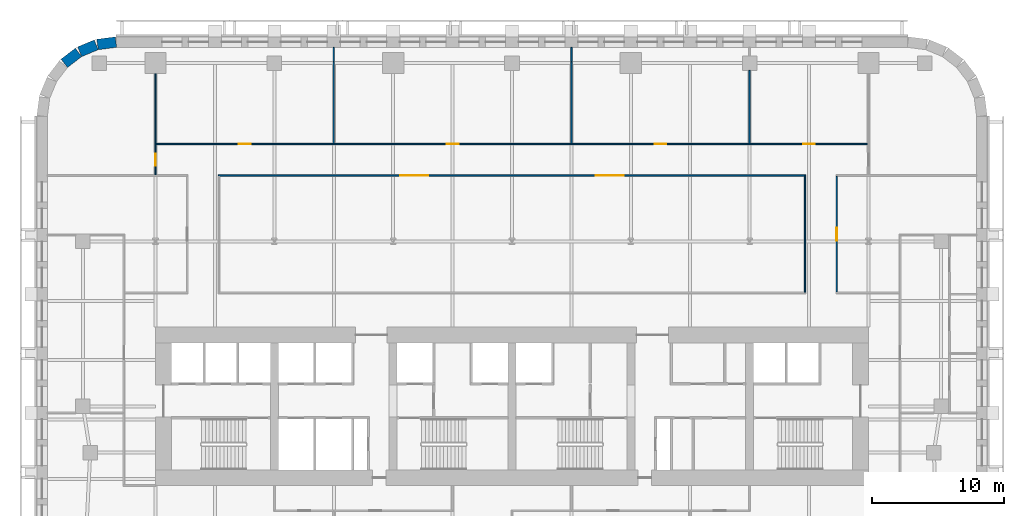
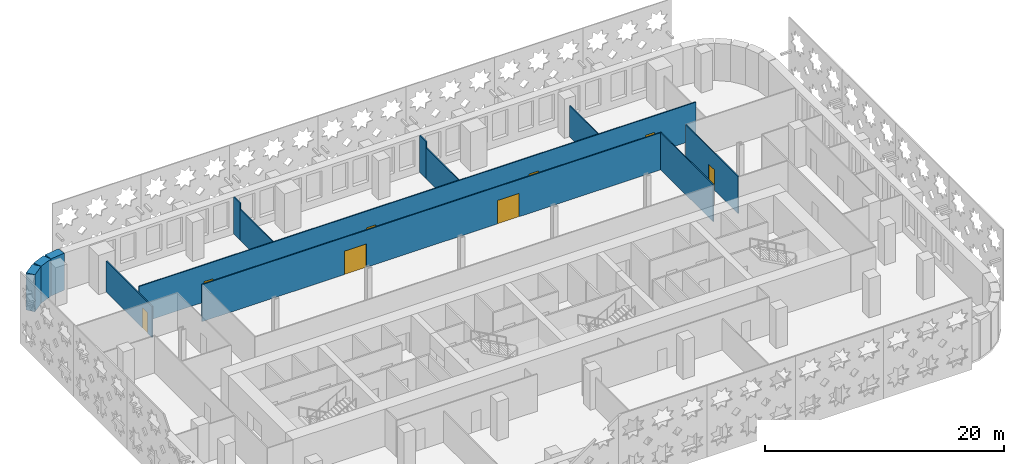
# One storey, part 7 of 15: 13 walls, 8 doors, 8 openings.
"""IFC4 building model written with IfcOpenShell, lengths in metres."""

from ifc_helpers import new_model, si_unit, direction, frame, frame_2d, origin, place, context, subcontext, project, spatial, rectangle, extrude, material, layer, layer_set, type_object, element, fill, save


model = new_model("IFC4")

# Units and contexts
model_context = context("Model", 3, precision=1e-05, world=origin(), true_north=direction((0.0, 1.0)))
body_context = subcontext(model_context, "Body", "Model", "MODEL_VIEW")
ifc_project = project(units=[si_unit("LENGTHUNIT", "METRE"), si_unit("AREAUNIT", "SQUARE_METRE"), si_unit("VOLUMEUNIT", "CUBIC_METRE"), si_unit("PLANEANGLEUNIT", "RADIAN"), si_unit("MASSUNIT", "GRAM", prefix="KILO")], contexts=[model_context])

# Site, building, storey
site_placement = place(None, origin())
site = spatial("IfcSite", under=ifc_project, at=site_placement, CompositionType="ELEMENT")
building_placement = place(site_placement, origin())
building = spatial("IfcBuilding", under=site, at=building_placement, Name="Zellij Exchange Tower", CompositionType="ELEMENT")
storey_placement = place(building_placement, frame((0.0, 0.0, 92.5)))
storey = spatial("IfcBuildingStorey", under=building, at=storey_placement, Name="L19", CompositionType="ELEMENT", Elevation=92.5)

# Walls
ifc_material_1 = material(Name="Precast concrete C40/50", Category="concrete")
ifc_layer_1 = layer(ifc_material_1, 0.800048828125)
ifc_layer_set_1 = layer_set([ifc_layer_1], Name="Precast concrete C40/50")
wall_type_1 = type_object("IfcWallType", Name="ENV-EW1 Precast stone-piered wall 800", PredefinedType="SOLIDWALL", material=ifc_layer_set_1)
wall_1_placement = place(storey_placement, frame((-29.999755859375, 19.5966796875, 0.0), z_axis=(0.0, 0.0, 1.0), x_axis=(-0.99144603414, -0.130517283865, 0.0)))
element("IfcWall", 1, at=wall_1_placement, inside=storey, type_object=wall_type_1, Name="fac.L19.15", PredefinedType="SOLIDWALL", context=body_context, shape_type="SweptSolid", body=[
    extrude(rectangle(XDim=1.408447265625, YDim=0.800048828125, at=frame_2d((0.7041015625, 0.0))), origin(), (0.0, 0.0, 1.0), 3.800048828125),
])
wall_2_placement = place(storey_placement, frame((-31.497314453125, 19.3857421875, 0.0), z_axis=(0.0, 0.0, 1.0), x_axis=(-0.923847774587, -0.38276009378, 0.0)))
element("IfcWall", 2, at=wall_2_placement, inside=storey, type_object=wall_type_1, Name="fac.L19.16", PredefinedType="SOLIDWALL", context=body_context, shape_type="SweptSolid", body=[
    extrude(rectangle(XDim=1.35546875, YDim=0.800048828125, at=frame_2d((0.677734375, 0.0))), origin(), (0.0, 0.0, 1.0), 3.800048828125),
])
wall_3_placement = place(storey_placement, frame((-32.840087890625, 18.814697265625, 0.0), z_axis=(0.0, 0.0, 1.0), x_axis=(-0.793272915452, -0.608866226366, 0.0)))
element("IfcWall", 3, at=wall_3_placement, inside=storey, type_object=wall_type_1, Name="fac.L19.17", PredefinedType="SOLIDWALL", context=body_context, shape_type="SweptSolid", body=[
    extrude(rectangle(XDim=1.355712890625, YDim=0.800048828125, at=frame_2d((0.677734375, 0.0))), origin(), (0.0, 0.0, 1.0), 3.800048828125),
])
ifc_material_2 = material(Name="Gypsum board partition on steel studs", Category="steel")
ifc_layer_2 = layer(ifc_material_2, 0.10009765625)
ifc_layer_set_2 = layer_set([ifc_layer_2], Name="Gypsum board partition on steel studs")
wall_type_2 = type_object("IfcWallType", Name="FIT-PARTITION-100", PredefinedType="PARTITIONING", material=ifc_layer_set_2)
wall_4_placement = place(storey_placement, frame((22.199951171875, 0.64990234375, 0.0), z_axis=(0.0, 0.0, 1.0), x_axis=(0.0, 1.0, 0.0)))
element("IfcWall", 4, at=wall_4_placement, inside=storey, type_object=wall_type_2, Name="FIT-PARTITION-100 028", PredefinedType="PARTITIONING", context=body_context, shape_type="SweptSolid", body=[
    extrude(rectangle(XDim=8.780029296875, YDim=0.10009765625, at=frame_2d((4.39013671875, 0.0))), origin(), (0.0, 0.0, 1.0), 3.800048828125),
])

# Wall, opening, door
wall_5_placement = place(storey_placement, frame((24.60009765625, 0.64990234375, 0.0), z_axis=(0.0, 0.0, 1.0), x_axis=(0.0, 1.0, 0.0)))
wall_5 = element("IfcWall", 5, at=wall_5_placement, inside=storey, type_object=wall_type_2, Name="FIT-PARTITION-100 030", PredefinedType="PARTITIONING", context=body_context, shape_type="SweptSolid", body=[
    extrude(rectangle(XDim=8.780029296875, YDim=0.10009765625, at=frame_2d((4.39013671875, 0.0))), origin(), (0.0, 0.0, 1.0), 3.800048828125),
])
opening_1_placement = place(wall_5_placement, frame((3.89990234375, 0.0, 0.0)))
opening_1 = element("IfcOpeningElement", 6, at=opening_1_placement, cuts=wall_5, Name="Opening TD.11", PredefinedType="OPENING", context=body_context, shape_type="SweptSolid", body=[
    extrude(rectangle(XDim=1.0, YDim=2.10009765625, at=frame_2d((0.5, 1.050048828125))), frame((0.0, 0.06201171875, 0.0), z_axis=(0.0, -1.0, 0.0), x_axis=(1.0, 0.0, 0.0)), (0.0, 0.0, 1.0), 0.1240234375),
])
ifc_material_3 = material(Name="Timber door set", Category="wood")
door_type_1 = type_object("IfcDoorType", Name="FIT-D2-WIDE-1000X2100", OperationType="SINGLE_SWING_LEFT", PredefinedType="DOOR", material=ifc_material_3)
door_1_placement = place(opening_1_placement, origin())
door_1 = element("IfcDoor", 7, at=door_1_placement, inside=storey, type_object=door_type_1, Name="Door TD.11", OperationType="SINGLE_SWING_RIGHT", OverallHeight=2.10009765625, OverallWidth=1.0, PredefinedType="DOOR", context=body_context, shape_type="SweptSolid", body=[
    extrude(rectangle(XDim=1.0, YDim=2.10009765625, at=frame_2d((0.5, 1.050048828125))), frame((0.0, 0.02490234375, 0.0), z_axis=(0.0, -1.0, 0.0), x_axis=(1.0, 0.0, 0.0)), (0.0, 0.0, 1.0), 0.050048828125),
])
fill(opening_1, door_1)

wall_6_placement = place(storey_placement, frame((-27.0, 9.530029296875, 0.0), z_axis=(0.0, 0.0, 1.0), x_axis=(0.0, 1.0, 0.0)))
wall_6 = element("IfcWall", 8, at=wall_6_placement, inside=storey, type_object=wall_type_2, Name="FIT-PARTITION-100 036", PredefinedType="PARTITIONING", context=body_context, shape_type="SweptSolid", body=[
    extrude(rectangle(XDim=7.669921875, YDim=0.10009765625, at=frame_2d((3.8349609375, 0.0))), origin(), (0.0, 0.0, 1.0), 3.18798828125),
])
opening_2_placement = place(wall_6_placement, frame((0.699951171875, 0.0, 0.0)))
opening_2 = element("IfcOpeningElement", 9, at=opening_2_placement, cuts=wall_6, Name="Opening TD.14", PredefinedType="OPENING", context=body_context, shape_type="SweptSolid", body=[
    extrude(rectangle(XDim=0.89990234375, YDim=2.10009765625, at=frame_2d((0.449951171875, 1.050048828125))), frame((0.0, 0.06201171875, 0.0), z_axis=(0.0, -1.0, 0.0), x_axis=(1.0, 0.0, 0.0)), (0.0, 0.0, 1.0), 0.1240234375),
])
door_type_2 = type_object("IfcDoorType", Name="FIT-D1-ROOM-900X2100", OperationType="SINGLE_SWING_LEFT", PredefinedType="DOOR", material=ifc_material_3)
door_2_placement = place(opening_2_placement, origin())
door_2 = element("IfcDoor", 10, at=door_2_placement, inside=storey, type_object=door_type_2, Name="Door TD.14", OperationType="SINGLE_SWING_RIGHT", OverallHeight=2.10009765625, OverallWidth=0.89990234375, PredefinedType="DOOR", context=body_context, shape_type="SweptSolid", body=[
    extrude(rectangle(XDim=0.89990234375, YDim=2.10009765625, at=frame_2d((0.449951171875, 1.050048828125))), frame((0.0, 0.02490234375, 0.0), z_axis=(0.0, -1.0, 0.0), x_axis=(1.0, 0.0, 0.0)), (0.0, 0.0, 1.0), 0.050048828125),
])
fill(opening_2, door_2)

# Wall, openings, doors
wall_7_placement = place(storey_placement, frame((-22.25, 9.47998046875, 0.0), z_axis=(0.0, 0.0, 1.0), x_axis=(1.0, 0.0, 0.0)))
wall_7 = element("IfcWall", 11, at=wall_7_placement, inside=storey, type_object=wall_type_2, Name="FIT-PARTITION-100 037", PredefinedType="PARTITIONING", context=body_context, shape_type="SweptSolid", body=[
    extrude(rectangle(XDim=44.5, YDim=0.10009765625, at=frame_2d((22.25, 0.0))), origin(), (0.0, 0.0, 1.0), 3.800048828125),
])
opening_3_placement = place(wall_7_placement, frame((13.800048828125, 0.0, 0.0)))
opening_3 = element("IfcOpeningElement", 12, at=opening_3_placement, cuts=wall_7, Name="Opening TD.12", PredefinedType="OPENING", context=body_context, shape_type="SweptSolid", body=[
    extrude(rectangle(XDim=2.10009765625, YDim=2.39990234375, at=frame_2d((1.050048828125, 1.199951171875))), frame((0.0, 0.06201171875, 0.0), z_axis=(0.0, -1.0, 0.0), x_axis=(1.0, 0.0, 0.0)), (0.0, 0.0, 1.0), 0.1240234375),
])
opening_4_placement = place(wall_7_placement, frame((28.60009765625, 0.0, 0.0)))
opening_4 = element("IfcOpeningElement", 13, at=opening_4_placement, cuts=wall_7, Name="Opening TD.13", PredefinedType="OPENING", context=body_context, shape_type="SweptSolid", body=[
    extrude(rectangle(XDim=2.10009765625, YDim=2.39990234375, at=frame_2d((1.050048828125, 1.199951171875))), frame((0.0, 0.06201171875, 0.0), z_axis=(0.0, -1.0, 0.0), x_axis=(1.0, 0.0, 0.0)), (0.0, 0.0, 1.0), 0.1240234375),
])
door_type_3 = type_object("IfcDoorType", Name="FIT-D7-ASSEMBLY-2100X2400", OperationType="DOUBLE_DOOR_SINGLE_SWING", PredefinedType="DOOR", material=ifc_material_3)
door_3_placement = place(opening_3_placement, origin())
door_3 = element("IfcDoor", 14, at=door_3_placement, inside=storey, type_object=door_type_3, Name="Door TD.12", OperationType="DOUBLE_DOOR_SINGLE_SWING", OverallHeight=2.39990234375, OverallWidth=2.10009765625, PredefinedType="DOOR", context=body_context, shape_type="SweptSolid", body=[
    extrude(rectangle(XDim=2.10009765625, YDim=2.39990234375, at=frame_2d((1.050048828125, 1.199951171875))), frame((0.0, 0.02490234375, 0.0), z_axis=(0.0, -1.0, 0.0), x_axis=(1.0, 0.0, 0.0)), (0.0, 0.0, 1.0), 0.050048828125),
])
fill(opening_3, door_3)
door_4_placement = place(opening_4_placement, origin())
door_4 = element("IfcDoor", 15, at=door_4_placement, inside=storey, type_object=door_type_3, Name="Door TD.13", OperationType="DOUBLE_DOOR_SINGLE_SWING", OverallHeight=2.39990234375, OverallWidth=2.10009765625, PredefinedType="DOOR", context=body_context, shape_type="SweptSolid", body=[
    extrude(rectangle(XDim=2.10009765625, YDim=2.39990234375, at=frame_2d((1.050048828125, 1.199951171875))), frame((0.0, 0.02490234375, 0.0), z_axis=(0.0, -1.0, 0.0), x_axis=(1.0, 0.0, 0.0)), (0.0, 0.0, 1.0), 0.050048828125),
])
fill(opening_4, door_4)

wall_8_placement = place(storey_placement, frame((-26.949951171875, 11.8798828125, 0.0), z_axis=(0.0, 0.0, 1.0), x_axis=(1.0, 0.0, 0.0)))
wall_8 = element("IfcWall", 16, at=wall_8_placement, inside=storey, type_object=wall_type_2, Name="FIT-PARTITION-100 040", PredefinedType="PARTITIONING", context=body_context, shape_type="SweptSolid", body=[
    extrude(rectangle(XDim=53.89990234375, YDim=0.10009765625, at=frame_2d((26.949951171875, 0.0))), origin(), (0.0, 0.0, 1.0), 3.800048828125),
])
opening_5_placement = place(wall_8_placement, frame((6.25, 0.0, 0.0)))
opening_5 = element("IfcOpeningElement", 17, at=opening_5_placement, cuts=wall_8, Name="Opening TD.16", PredefinedType="OPENING", context=body_context, shape_type="SweptSolid", body=[
    extrude(rectangle(XDim=0.89990234375, YDim=2.10009765625, at=frame_2d((0.449951171875, 1.050048828125))), frame((0.0, 0.06201171875, 0.0), z_axis=(0.0, -1.0, 0.0), x_axis=(1.0, 0.0, 0.0)), (0.0, 0.0, 1.0), 0.1240234375),
])
opening_6_placement = place(wall_8_placement, frame((22.0, 0.0, 0.0)))
opening_6 = element("IfcOpeningElement", 18, at=opening_6_placement, cuts=wall_8, Name="Opening TD.17", PredefinedType="OPENING", context=body_context, shape_type="SweptSolid", body=[
    extrude(rectangle(XDim=0.89990234375, YDim=2.10009765625, at=frame_2d((0.449951171875, 1.050048828125))), frame((0.0, 0.06201171875, 0.0), z_axis=(0.0, -1.0, 0.0), x_axis=(1.0, 0.0, 0.0)), (0.0, 0.0, 1.0), 0.1240234375),
])
opening_7_placement = place(wall_8_placement, frame((37.75, 0.0, 0.0)))
opening_7 = element("IfcOpeningElement", 19, at=opening_7_placement, cuts=wall_8, Name="Opening TD.18", PredefinedType="OPENING", context=body_context, shape_type="SweptSolid", body=[
    extrude(rectangle(XDim=0.89990234375, YDim=2.10009765625, at=frame_2d((0.449951171875, 1.050048828125))), frame((0.0, 0.06201171875, 0.0), z_axis=(0.0, -1.0, 0.0), x_axis=(1.0, 0.0, 0.0)), (0.0, 0.0, 1.0), 0.1240234375),
])
opening_8_placement = place(wall_8_placement, frame((49.0, 0.0, 0.0)))
opening_8 = element("IfcOpeningElement", 20, at=opening_8_placement, cuts=wall_8, Name="Opening TD.19", PredefinedType="OPENING", context=body_context, shape_type="SweptSolid", body=[
    extrude(rectangle(XDim=0.89990234375, YDim=2.10009765625, at=frame_2d((0.449951171875, 1.050048828125))), frame((0.0, 0.06201171875, 0.0), z_axis=(0.0, -1.0, 0.0), x_axis=(1.0, 0.0, 0.0)), (0.0, 0.0, 1.0), 0.1240234375),
])
door_5_placement = place(opening_5_placement, origin())
door_5 = element("IfcDoor", 21, at=door_5_placement, inside=storey, type_object=door_type_2, Name="Door TD.16", OperationType="SINGLE_SWING_RIGHT", OverallHeight=2.10009765625, OverallWidth=0.89990234375, PredefinedType="DOOR", context=body_context, shape_type="SweptSolid", body=[
    extrude(rectangle(XDim=0.89990234375, YDim=2.10009765625, at=frame_2d((0.449951171875, 1.050048828125))), frame((0.0, 0.02490234375, 0.0), z_axis=(0.0, -1.0, 0.0), x_axis=(1.0, 0.0, 0.0)), (0.0, 0.0, 1.0), 0.050048828125),
])
fill(opening_5, door_5)
door_6_placement = place(opening_6_placement, origin())
door_6 = element("IfcDoor", 22, at=door_6_placement, inside=storey, type_object=door_type_2, Name="Door TD.17", OperationType="SINGLE_SWING_RIGHT", OverallHeight=2.10009765625, OverallWidth=0.89990234375, PredefinedType="DOOR", context=body_context, shape_type="SweptSolid", body=[
    extrude(rectangle(XDim=0.89990234375, YDim=2.10009765625, at=frame_2d((0.449951171875, 1.050048828125))), frame((0.0, 0.02490234375, 0.0), z_axis=(0.0, -1.0, 0.0), x_axis=(1.0, 0.0, 0.0)), (0.0, 0.0, 1.0), 0.050048828125),
])
fill(opening_6, door_6)
door_7_placement = place(opening_7_placement, origin())
door_7 = element("IfcDoor", 23, at=door_7_placement, inside=storey, type_object=door_type_2, Name="Door TD.18", OperationType="SINGLE_SWING_RIGHT", OverallHeight=2.10009765625, OverallWidth=0.89990234375, PredefinedType="DOOR", context=body_context, shape_type="SweptSolid", body=[
    extrude(rectangle(XDim=0.89990234375, YDim=2.10009765625, at=frame_2d((0.449951171875, 1.050048828125))), frame((0.0, 0.02490234375, 0.0), z_axis=(0.0, -1.0, 0.0), x_axis=(1.0, 0.0, 0.0)), (0.0, 0.0, 1.0), 0.050048828125),
])
fill(opening_7, door_7)
door_8_placement = place(opening_8_placement, origin())
door_8 = element("IfcDoor", 24, at=door_8_placement, inside=storey, type_object=door_type_2, Name="Door TD.19", OperationType="SINGLE_SWING_RIGHT", OverallHeight=2.10009765625, OverallWidth=0.89990234375, PredefinedType="DOOR", context=body_context, shape_type="SweptSolid", body=[
    extrude(rectangle(XDim=0.89990234375, YDim=2.10009765625, at=frame_2d((0.449951171875, 1.050048828125))), frame((0.0, 0.02490234375, 0.0), z_axis=(0.0, -1.0, 0.0), x_axis=(1.0, 0.0, 0.0)), (0.0, 0.0, 1.0), 0.050048828125),
])
fill(opening_8, door_8)

# Walls
wall_9_placement = place(storey_placement, frame((-13.5, 11.929931640625, 0.0), z_axis=(0.0, 0.0, 1.0), x_axis=(0.0, 1.0, 0.0)))
element("IfcWall", 25, at=wall_9_placement, inside=storey, type_object=wall_type_2, Name="FIT-PARTITION-100 041", PredefinedType="PARTITIONING", context=body_context, shape_type="SweptSolid", body=[
    extrude(rectangle(XDim=6.1845703125, YDim=0.10009765625, at=frame_2d((3.09228515625, 0.0))), origin(), (0.0, 0.0, 1.0), 3.197998046875),
])
wall_10_placement = place(storey_placement, frame((-13.5, 18.114501953125, 0.0), z_axis=(0.0, 0.0, 1.0), x_axis=(0.0, 1.0, 0.0)))
element("IfcWall", 26, at=wall_10_placement, inside=storey, type_object=wall_type_2, Name="FIT-PARTITION-100 042", PredefinedType="PARTITIONING", context=body_context, shape_type="SweptSolid", body=[
    extrude(rectangle(XDim=1.08544921875, YDim=0.10009765625, at=frame_2d((0.542724609375, 0.0))), origin(), (0.0, 0.0, 1.0), 3.800048828125),
])
wall_11_placement = place(storey_placement, frame((4.5, 11.929931640625, 0.0), z_axis=(0.0, 0.0, 1.0), x_axis=(0.0, 1.0, 0.0)))
element("IfcWall", 27, at=wall_11_placement, inside=storey, type_object=wall_type_2, Name="FIT-PARTITION-100 043", PredefinedType="PARTITIONING", context=body_context, shape_type="SweptSolid", body=[
    extrude(rectangle(XDim=6.1845703125, YDim=0.10009765625, at=frame_2d((3.09228515625, 0.0))), origin(), (0.0, 0.0, 1.0), 3.197998046875),
])
wall_12_placement = place(storey_placement, frame((4.5, 18.114501953125, 0.0), z_axis=(0.0, 0.0, 1.0), x_axis=(0.0, 1.0, 0.0)))
element("IfcWall", 28, at=wall_12_placement, inside=storey, type_object=wall_type_2, Name="FIT-PARTITION-100 044", PredefinedType="PARTITIONING", context=body_context, shape_type="SweptSolid", body=[
    extrude(rectangle(XDim=1.08544921875, YDim=0.10009765625, at=frame_2d((0.542724609375, 0.0))), origin(), (0.0, 0.0, 1.0), 3.800048828125),
])
wall_13_placement = place(storey_placement, frame((18.0, 11.929931640625, 0.0), z_axis=(0.0, 0.0, 1.0), x_axis=(0.0, 1.0, 0.0)))
element("IfcWall", 29, at=wall_13_placement, inside=storey, type_object=wall_type_2, Name="FIT-PARTITION-100 045", PredefinedType="PARTITIONING", context=body_context, shape_type="SweptSolid", body=[
    extrude(rectangle(XDim=5.52001953125, YDim=0.10009765625, at=frame_2d((2.760009765625, 0.0))), origin(), (0.0, 0.0, 1.0), 3.18798828125),
])

save(model, "model.ifc")
